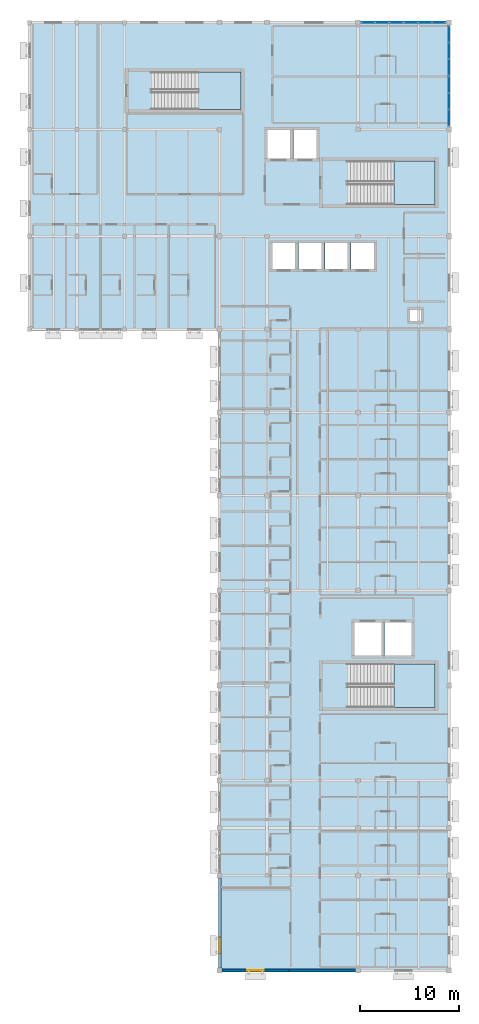
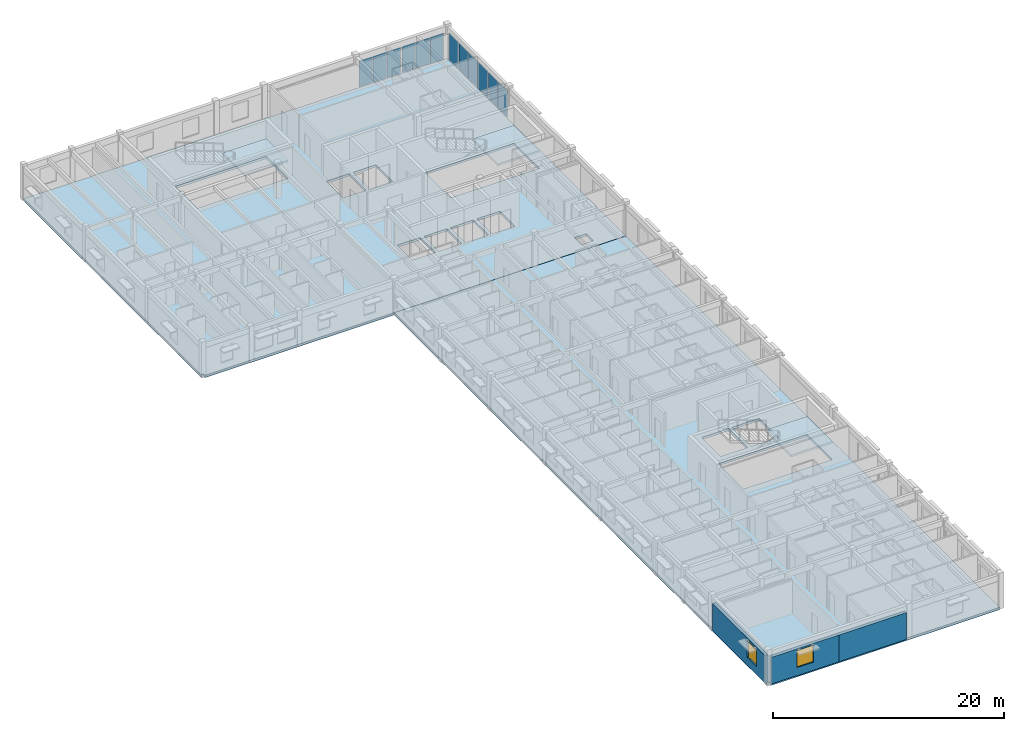
# One storey, part 6 of 20: 12 plates, 5 slabs, 3 walls, 2 windows, 2 openings, 7 elements without a shape of their own.
"""IFC4 building model written with IfcOpenShell, lengths in metres."""

from ifc_helpers import new_model, si_unit, direction, frame, frame_2d, origin, origin_2d, place, context, subcontext, project, spatial, polyline, rectangle, outline, extrude, material, layer, layer_set, type_object, element, fill, aggregate, save


model = new_model("IFC4")

# Units and contexts
model_context = context("Model", 3, precision=1e-05, world=origin(), true_north=direction((0.0, 1.0)))
body_context = subcontext(model_context, "Body", "Model", "MODEL_VIEW")
ifc_project = project(units=[si_unit("LENGTHUNIT", "METRE"), si_unit("AREAUNIT", "SQUARE_METRE"), si_unit("VOLUMEUNIT", "CUBIC_METRE"), si_unit("PLANEANGLEUNIT", "RADIAN"), si_unit("MASSUNIT", "GRAM", prefix="KILO")], contexts=[model_context])

# Site, building, storey
site_placement = place(None, origin())
site = spatial("IfcSite", under=ifc_project, at=site_placement, CompositionType="ELEMENT")
building_placement = place(site_placement, origin())
building = spatial("IfcBuilding", under=site, at=building_placement, Name="Veldera Park Congress Hotel", CompositionType="ELEMENT")
storey_placement = place(building_placement, frame((0.0, 0.0, 27.60009765625)))
storey = spatial("IfcBuildingStorey", under=building, at=storey_placement, Name="L06", CompositionType="ELEMENT", Elevation=27.60009765625)

# Curtain wall, plates
ifc_material_1 = material(Name="Low-E Triple Insulating Glass Unit (SHGC 0.22)", Category="glass")
curtain_wall_type = type_object("IfcCurtainWallType", Name="CW-HTL", PredefinedType="NOTDEFINED", material=ifc_material_1)
curtain_wall_1_placement = place(storey_placement, origin())
curtain_wall_1 = element("IfcCurtainWall", 1, at=curtain_wall_1_placement, inside=storey, type_object=curtain_wall_type, Name="L06 Curtain Wall CW3-HTLNE-L06-108", PredefinedType="NOTDEFINED")
ifc_layer_1 = layer(ifc_material_1, 0.028076171875)
ifc_layer_set_1 = layer_set([ifc_layer_1], Name="Low-E Triple Insulating Glass Unit (SHGC 0.22)")
plate_type = type_object("IfcPlateType", Name="CWP-IGU28", PredefinedType="CURTAIN_PANEL", material=ifc_layer_set_1)
plate_1_placement = place(storey_placement, frame((84.0, 48.362548828125, 0.059814453125), z_axis=(0.0, 0.0, 1.0), x_axis=(0.0, 1.0, 0.0)))
plate_1 = element("IfcPlate", 2, at=plate_1_placement, type_object=plate_type, Name="CW-HTL panel 1.1", PredefinedType="CURTAIN_PANEL", context=body_context, shape_type="SweptSolid", body=[
    extrude(rectangle(XDim=1.60498046875, YDim=0.028076171875, at=origin_2d()), origin(), (0.0, 0.0, 1.0), 2.85009765625),
])
plate_2_placement = place(storey_placement, frame((84.0, 50.04248046875, 0.059814453125), z_axis=(0.0, 0.0, 1.0), x_axis=(0.0, 1.0, 0.0)))
plate_2 = element("IfcPlate", 3, at=plate_2_placement, type_object=plate_type, Name="CW-HTL panel 2.1", PredefinedType="CURTAIN_PANEL", context=body_context, shape_type="SweptSolid", body=[
    extrude(rectangle(XDim=1.635009765625, YDim=0.028076171875, at=origin_2d()), origin(), (0.0, 0.0, 1.0), 2.85009765625),
])
plate_3_placement = place(storey_placement, frame((84.0, 51.722412109375, 0.059814453125), z_axis=(0.0, 0.0, 1.0), x_axis=(0.0, 1.0, 0.0)))
plate_3 = element("IfcPlate", 4, at=plate_3_placement, type_object=plate_type, Name="CW-HTL panel 3.1", PredefinedType="CURTAIN_PANEL", context=body_context, shape_type="SweptSolid", body=[
    extrude(rectangle(XDim=1.60498046875, YDim=0.028076171875, at=origin_2d()), origin(), (0.0, 0.0, 1.0), 2.85009765625),
])
aggregate(curtain_wall_1, [plate_1, plate_2, plate_3])

curtain_wall_2_placement = place(storey_placement, origin())
curtain_wall_2 = element("IfcCurtainWall", 5, at=curtain_wall_2_placement, inside=storey, type_object=curtain_wall_type, Name="L06 Curtain Wall CW3-HTLNE-L06-109", PredefinedType="NOTDEFINED")
plate_4_placement = place(storey_placement, frame((84.0, 53.4775390625, 0.059814453125), z_axis=(0.0, 0.0, 1.0), x_axis=(0.0, 1.0, 0.0)))
plate_4 = element("IfcPlate", 6, at=plate_4_placement, type_object=plate_type, Name="CW-HTL panel 1.1", PredefinedType="CURTAIN_PANEL", context=body_context, shape_type="SweptSolid", body=[
    extrude(rectangle(XDim=1.60498046875, YDim=0.028076171875, at=origin_2d()), origin(), (0.0, 0.0, 1.0), 2.85009765625),
])
plate_5_placement = place(storey_placement, frame((84.0, 55.157470703125, 0.059814453125), z_axis=(0.0, 0.0, 1.0), x_axis=(0.0, 1.0, 0.0)))
plate_5 = element("IfcPlate", 7, at=plate_5_placement, type_object=plate_type, Name="CW-HTL panel 2.1", PredefinedType="CURTAIN_PANEL", context=body_context, shape_type="SweptSolid", body=[
    extrude(rectangle(XDim=1.635009765625, YDim=0.028076171875, at=origin_2d()), origin(), (0.0, 0.0, 1.0), 2.85009765625),
])
plate_6_placement = place(storey_placement, frame((84.0, 56.83740234375, 0.059814453125), z_axis=(0.0, 0.0, 1.0), x_axis=(0.0, 1.0, 0.0)))
plate_6 = element("IfcPlate", 8, at=plate_6_placement, type_object=plate_type, Name="CW-HTL panel 3.1", PredefinedType="CURTAIN_PANEL", context=body_context, shape_type="SweptSolid", body=[
    extrude(rectangle(XDim=1.60498046875, YDim=0.028076171875, at=origin_2d()), origin(), (0.0, 0.0, 1.0), 2.85009765625),
])
aggregate(curtain_wall_2, [plate_4, plate_5, plate_6])

curtain_wall_3_placement = place(storey_placement, origin())
curtain_wall_3 = element("IfcCurtainWall", 9, at=curtain_wall_3_placement, inside=storey, type_object=curtain_wall_type, Name="L06 Curtain Wall CW3-HTLNN-L06-110", PredefinedType="NOTDEFINED")
plate_7_placement = place(storey_placement, frame((82.970947265625, 58.0, 0.059814453125), z_axis=(0.0, 0.0, 1.0), x_axis=(-1.0, 0.0, 0.0)))
plate_7 = element("IfcPlate", 10, at=plate_7_placement, type_object=plate_type, Name="CW-HTL panel 1.1", PredefinedType="CURTAIN_PANEL", context=body_context, shape_type="SweptSolid", body=[
    extrude(rectangle(XDim=1.33837890625, YDim=0.028076171875, at=origin_2d()), origin(), (0.0, 0.0, 1.0), 2.75),
])
plate_8_placement = place(storey_placement, frame((81.5576171875, 58.0, 0.059814453125), z_axis=(0.0, 0.0, 1.0), x_axis=(-1.0, 0.0, 0.0)))
plate_8 = element("IfcPlate", 11, at=plate_8_placement, type_object=plate_type, Name="CW-HTL panel 2.1", PredefinedType="CURTAIN_PANEL", context=body_context, shape_type="SweptSolid", body=[
    extrude(rectangle(XDim=1.368408203125, YDim=0.028076171875, at=origin_2d()), origin(), (0.0, 0.0, 1.0), 2.75),
])
plate_9_placement = place(storey_placement, frame((80.144287109375, 58.0, 0.059814453125), z_axis=(0.0, 0.0, 1.0), x_axis=(-1.0, 0.0, 0.0)))
plate_9 = element("IfcPlate", 12, at=plate_9_placement, type_object=plate_type, Name="CW-HTL panel 3.1", PredefinedType="CURTAIN_PANEL", context=body_context, shape_type="SweptSolid", body=[
    extrude(rectangle(XDim=1.33837890625, YDim=0.028076171875, at=origin_2d()), origin(), (0.0, 0.0, 1.0), 2.75),
])
aggregate(curtain_wall_3, [plate_7, plate_8, plate_9])

curtain_wall_4_placement = place(storey_placement, origin())
curtain_wall_4 = element("IfcCurtainWall", 13, at=curtain_wall_4_placement, inside=storey, type_object=curtain_wall_type, Name="L06 Curtain Wall CW3-HTLNN-L06-111", PredefinedType="NOTDEFINED")
plate_10_placement = place(storey_placement, frame((78.65576171875, 58.0, 0.059814453125), z_axis=(0.0, 0.0, 1.0), x_axis=(-1.0, 0.0, 0.0)))
plate_10 = element("IfcPlate", 14, at=plate_10_placement, type_object=plate_type, Name="CW-HTL panel 1.1", PredefinedType="CURTAIN_PANEL", context=body_context, shape_type="SweptSolid", body=[
    extrude(rectangle(XDim=1.33837890625, YDim=0.028076171875, at=origin_2d()), origin(), (0.0, 0.0, 1.0), 2.75),
])
plate_11_placement = place(storey_placement, frame((77.242431640625, 58.0, 0.059814453125), z_axis=(0.0, 0.0, 1.0), x_axis=(-1.0, 0.0, 0.0)))
plate_11 = element("IfcPlate", 15, at=plate_11_placement, type_object=plate_type, Name="CW-HTL panel 2.1", PredefinedType="CURTAIN_PANEL", context=body_context, shape_type="SweptSolid", body=[
    extrude(rectangle(XDim=1.368408203125, YDim=0.028076171875, at=origin_2d()), origin(), (0.0, 0.0, 1.0), 2.75),
])
plate_12_placement = place(storey_placement, frame((75.8291015625, 58.0, 0.059814453125), z_axis=(0.0, 0.0, 1.0), x_axis=(-1.0, 0.0, 0.0)))
plate_12 = element("IfcPlate", 16, at=plate_12_placement, type_object=plate_type, Name="CW-HTL panel 3.1", PredefinedType="CURTAIN_PANEL", context=body_context, shape_type="SweptSolid", body=[
    extrude(rectangle(XDim=1.33837890625, YDim=0.028076171875, at=origin_2d()), origin(), (0.0, 0.0, 1.0), 2.75),
])
aggregate(curtain_wall_4, [plate_10, plate_11, plate_12])

# Slabs
ifc_material_2 = material(Name="Cross-laminated timber CLT V2M1.1", Category="wood")
ifc_layer_2 = layer(ifc_material_2, 0.25)
ifc_layer_set_2 = layer_set([ifc_layer_2], Name="Cross-laminated timber CLT V2M1.1")
slab_type_1 = type_object("IfcSlabType", Name="SLB-CLT250", PredefinedType="FLOOR", material=ifc_layer_set_2)
slab_1_placement = place(storey_placement, frame((0.0, 0.0, -0.25)))
element("IfcSlab", 17, at=slab_1_placement, inside=storey, type_object=slab_type_1, Name="L06 Hotel East Wing CLT Floor Deck SLB-L06-V4E", PredefinedType="FLOOR", context=body_context, shape_type="SweptSolid", body=[
    extrude(outline(polyline([(60.800048828125, -37.5400390625), (61.06005859375, -37.5400390625), (61.06005859375, -37.800048828125), (84.0, -37.800048828125), (84.0, 27.0), (60.800048828125, 27.0), (60.800048828125, -37.5400390625)]), holes=[polyline([(73.715087890625, -11.199951171875), (82.60009765625, -11.199951171875), (82.60009765625, -6.800048828125), (73.715087890625, -6.800048828125), (73.715087890625, -11.199951171875)]), polyline([(74.449951171875, -5.949951171875), (77.14990234375, -5.949951171875), (77.14990234375, -2.64990234375), (74.449951171875, -2.64990234375), (74.449951171875, -5.949951171875)]), polyline([(77.5, -5.949951171875), (80.199951171875, -5.949951171875), (80.199951171875, -2.64990234375), (77.5, -2.64990234375), (77.5, -5.949951171875)])]), origin(), (0.0, 0.0, 1.0), 0.25),
])
slab_2_placement = place(storey_placement, frame((0.0, 0.0, -0.25)))
element("IfcSlab", 18, at=slab_2_placement, inside=storey, type_object=slab_type_1, Name="L06 Hotel North Wing CLT Floor Deck SLB-L06-V4N", PredefinedType="FLOOR", context=body_context, shape_type="SweptSolid", body=[
    extrude(outline(polyline([(41.60009765625, 27.260009765625), (41.860107421875, 27.260009765625), (41.860107421875, 27.0), (84.0, 27.0), (84.0, 58.0), (41.60009765625, 58.0), (41.60009765625, 27.260009765625)]), holes=[polyline([(73.715087890625, 39.60009765625), (82.60009765625, 39.60009765625), (82.60009765625, 44.0), (73.715087890625, 44.0), (73.715087890625, 39.60009765625)]), polyline([(53.9150390625, 49.199951171875), (63.0, 49.199951171875), (63.0, 53.0), (53.9150390625, 53.0), (53.9150390625, 49.199951171875)]), polyline([(65.64990234375, 44.25), (67.949951171875, 44.25), (67.949951171875, 47.14990234375), (65.64990234375, 47.14990234375), (65.64990234375, 44.25)]), polyline([(68.300048828125, 44.25), (70.60009765625, 44.25), (70.60009765625, 47.14990234375), (68.300048828125, 47.14990234375), (68.300048828125, 44.25)]), polyline([(66.14990234375, 33.10009765625), (68.449951171875, 33.10009765625), (68.449951171875, 35.699951171875), (66.14990234375, 35.699951171875), (66.14990234375, 33.10009765625)]), polyline([(68.800048828125, 33.10009765625), (71.10009765625, 33.10009765625), (71.10009765625, 35.699951171875), (68.800048828125, 35.699951171875), (68.800048828125, 33.10009765625)]), polyline([(71.449951171875, 33.10009765625), (73.75, 33.10009765625), (73.75, 35.699951171875), (71.449951171875, 35.699951171875), (71.449951171875, 33.10009765625)]), polyline([(74.10009765625, 33.10009765625), (76.39990234375, 33.10009765625), (76.39990234375, 35.699951171875), (74.10009765625, 35.699951171875), (74.10009765625, 33.10009765625)]), polyline([(80.0, 27.800048828125), (81.199951171875, 27.800048828125), (81.199951171875, 29.0), (80.0, 29.0), (80.0, 27.800048828125)])]), origin(), (0.0, 0.0, 1.0), 0.25),
])

# Stair, slab
ifc_material_3 = material(Name="Concrete f'c 40 MPa (5,800 psi)", Category="concrete")
stair_type_1 = type_object("IfcStairType", Name="ST1", PredefinedType="HALF_TURN_STAIR", material=ifc_material_3)
stair_1_placement = place(storey_placement, origin())
stair_1 = element("IfcStair", 19, at=stair_1_placement, inside=storey, type_object=stair_type_1, Name="L06 Protected Exit Stair ST1", PredefinedType="HALF_TURN_STAIR")
ifc_layer_3 = layer(ifc_material_3, 0.199951171875)
ifc_layer_set_3 = layer_set([ifc_layer_3], Name="Concrete f'c 40 MPa (5,800 psi)")
slab_type_2 = type_object("IfcSlabType", Name="SLD-ST1", PredefinedType="LANDING", material=ifc_layer_set_3)
slab_3_placement = place(storey_placement, frame((0.0, 0.0, 1.699951171875)))
slab_3 = element("IfcSlab", 20, at=slab_3_placement, type_object=slab_type_2, Name="ST1 landing 1", PredefinedType="LANDING", context=body_context, shape_type="SweptSolid", body=[
    extrude(outline(polyline([(78.445068359375, 39.60009765625), (82.60009765625, 39.60009765625), (82.60009765625, 44.0), (78.445068359375, 44.0), (78.445068359375, 39.60009765625)])), origin(), (0.0, 0.0, 1.0), 0.199951171875),
])
aggregate(stair_1, [slab_3])

stair_type_2 = type_object("IfcStairType", Name="ST2", PredefinedType="HALF_TURN_STAIR", material=ifc_material_3)
stair_2_placement = place(storey_placement, origin())
stair_2 = element("IfcStair", 21, at=stair_2_placement, inside=storey, type_object=stair_type_2, Name="L06 Protected Exit Stair ST2", PredefinedType="HALF_TURN_STAIR")
ifc_layer_4 = layer(ifc_material_3, 0.199951171875)
ifc_layer_set_4 = layer_set([ifc_layer_4], Name="Concrete f'c 40 MPa (5,800 psi)")
slab_type_3 = type_object("IfcSlabType", Name="SLD-ST2", PredefinedType="LANDING", material=ifc_layer_set_4)
slab_4_placement = place(storey_placement, frame((0.0, 0.0, 1.699951171875)))
slab_4 = element("IfcSlab", 22, at=slab_4_placement, type_object=slab_type_3, Name="ST2 landing 1", PredefinedType="LANDING", context=body_context, shape_type="SweptSolid", body=[
    extrude(outline(polyline([(78.445068359375, -11.199951171875), (82.60009765625, -11.199951171875), (82.60009765625, -6.800048828125), (78.445068359375, -6.800048828125), (78.445068359375, -11.199951171875)])), origin(), (0.0, 0.0, 1.0), 0.199951171875),
])
aggregate(stair_2, [slab_4])

stair_type_3 = type_object("IfcStairType", Name="ST3", PredefinedType="HALF_TURN_STAIR", material=ifc_material_3)
stair_3_placement = place(storey_placement, origin())
stair_3 = element("IfcStair", 23, at=stair_3_placement, inside=storey, type_object=stair_type_3, Name="L06 Protected Exit Stair ST3", PredefinedType="HALF_TURN_STAIR")
ifc_layer_5 = layer(ifc_material_3, 0.199951171875)
ifc_layer_set_5 = layer_set([ifc_layer_5], Name="Concrete f'c 40 MPa (5,800 psi)")
slab_type_4 = type_object("IfcSlabType", Name="SLD-ST3", PredefinedType="LANDING", material=ifc_layer_set_5)
slab_5_placement = place(storey_placement, frame((0.0, 0.0, 1.699951171875)))
slab_5 = element("IfcSlab", 24, at=slab_5_placement, type_object=slab_type_4, Name="ST3 landing 1", PredefinedType="LANDING", context=body_context, shape_type="SweptSolid", body=[
    extrude(outline(polyline([(58.64501953125, 49.199951171875), (63.0, 49.199951171875), (63.0, 53.0), (58.64501953125, 53.0), (58.64501953125, 49.199951171875)])), origin(), (0.0, 0.0, 1.0), 0.199951171875),
])
aggregate(stair_3, [slab_5])

# Wall, opening, window
ifc_layer_6 = layer(ifc_material_2, 0.300048828125)
ifc_layer_set_6 = layer_set([ifc_layer_6], Name="Cross-laminated timber CLT V2M1.1")
wall_type = type_object("IfcWallType", Name="EW-CLT300", PredefinedType="STANDARD", material=ifc_layer_set_6)
wall_1_placement = place(storey_placement, frame((61.05810546875, -37.800048828125, 0.0), z_axis=(0.0, 0.0, 1.0), x_axis=(1.0, 0.0, 0.0)))
wall_1 = element("IfcWall", 25, at=wall_1_placement, inside=storey, type_object=wall_type, Name="L06 Exterior Wall EW3-L06-0308", PredefinedType="STANDARD", context=body_context, shape_type="SweptSolid", body=[
    extrude(rectangle(XDim=6.75390625, YDim=0.300048828125, at=frame_2d((3.376953125, 0.0))), origin(), (0.0, 0.0, 1.0), 2.829833984375),
])
opening_1_placement = place(wall_1_placement, frame((2.552001953125, 0.0, 0.85009765625)))
opening_1 = element("IfcOpeningElement", 26, at=opening_1_placement, cuts=wall_1, Name="Opening WIN-1650", PredefinedType="OPENING", context=body_context, shape_type="SweptSolid", body=[
    extrude(rectangle(XDim=1.64990234375, YDim=1.800048828125, at=frame_2d((0.824951171875, 0.89990234375))), frame((0.0, 0.162109375, 0.0), z_axis=(0.0, -1.0, 0.0), x_axis=(1.0, 0.0, 0.0)), (0.0, 0.0, 1.0), 0.323974609375),
])
window_type = type_object("IfcWindowType", Name="WIN-1650", PartitioningType="SINGLE_PANEL", PredefinedType="WINDOW", material=ifc_material_1)
window_1_placement = place(opening_1_placement, origin())
window_1 = element("IfcWindow", 27, at=window_1_placement, inside=storey, type_object=window_type, Name="L06 Window WIN-1650 236", OverallHeight=1.800048828125, OverallWidth=1.64990234375, PartitioningType="SINGLE_PANEL", PredefinedType="WINDOW", context=body_context, shape_type="SweptSolid", body=[
    extrude(rectangle(XDim=1.64990234375, YDim=1.800048828125, at=frame_2d((0.824951171875, 0.89990234375))), frame((0.0, 0.030029296875, 0.0), z_axis=(0.0, -1.0, 0.0), x_axis=(1.0, 0.0, 0.0)), (0.0, 0.0, 1.0), 0.06005859375),
])
fill(opening_1, window_1)

# Wall
wall_2_placement = place(storey_placement, frame((67.80810546875, -37.800048828125, 0.0), z_axis=(0.0, 0.0, 1.0), x_axis=(1.0, 0.0, 0.0)))
element("IfcWall", 28, at=wall_2_placement, inside=storey, type_object=wall_type, Name="L06 Exterior Wall EW3-L06-0309", PredefinedType="STANDARD", context=body_context, shape_type="SweptSolid", body=[
    extrude(rectangle(XDim=6.75390625, YDim=0.300048828125, at=frame_2d((3.376953125, 0.0))), origin(), (0.0, 0.0, 1.0), 2.829833984375),
])

# Wall, opening, window
wall_3_placement = place(storey_placement, frame((60.800048828125, -28.4580078125, 0.0), z_axis=(0.0, 0.0, 1.0), x_axis=(0.0, -1.0, 0.0)))
wall_3 = element("IfcWall", 29, at=wall_3_placement, inside=storey, type_object=wall_type, Name="L06 Exterior Wall EW3-L06-0339", PredefinedType="STANDARD", context=body_context, shape_type="SweptSolid", body=[
    extrude(rectangle(XDim=9.083984375, YDim=0.300048828125, at=frame_2d((4.5419921875, 0.0))), origin(), (0.0, 0.0, 1.0), 2.909912109375),
])
opening_2_placement = place(wall_3_placement, frame((5.988037109375, 0.0, 0.85009765625)))
opening_2 = element("IfcOpeningElement", 30, at=opening_2_placement, cuts=wall_3, Name="Opening WIN-1650", PredefinedType="OPENING", context=body_context, shape_type="SweptSolid", body=[
    extrude(rectangle(XDim=1.64990234375, YDim=1.800048828125, at=frame_2d((0.824951171875, 0.89990234375))), frame((0.0, 0.162109375, 0.0), z_axis=(0.0, -1.0, 0.0), x_axis=(1.0, 0.0, 0.0)), (0.0, 0.0, 1.0), 0.323974609375),
])
window_2_placement = place(opening_2_placement, origin())
window_2 = element("IfcWindow", 31, at=window_2_placement, inside=storey, type_object=window_type, Name="L06 Window WIN-1650 255", OverallHeight=1.800048828125, OverallWidth=1.64990234375, PartitioningType="SINGLE_PANEL", PredefinedType="WINDOW", context=body_context, shape_type="SweptSolid", body=[
    extrude(rectangle(XDim=1.64990234375, YDim=1.800048828125, at=frame_2d((0.824951171875, 0.89990234375))), frame((0.0, 0.030029296875, 0.0), z_axis=(0.0, -1.0, 0.0), x_axis=(1.0, 0.0, 0.0)), (0.0, 0.0, 1.0), 0.06005859375),
])
fill(opening_2, window_2)

save(model, "model.ifc")
